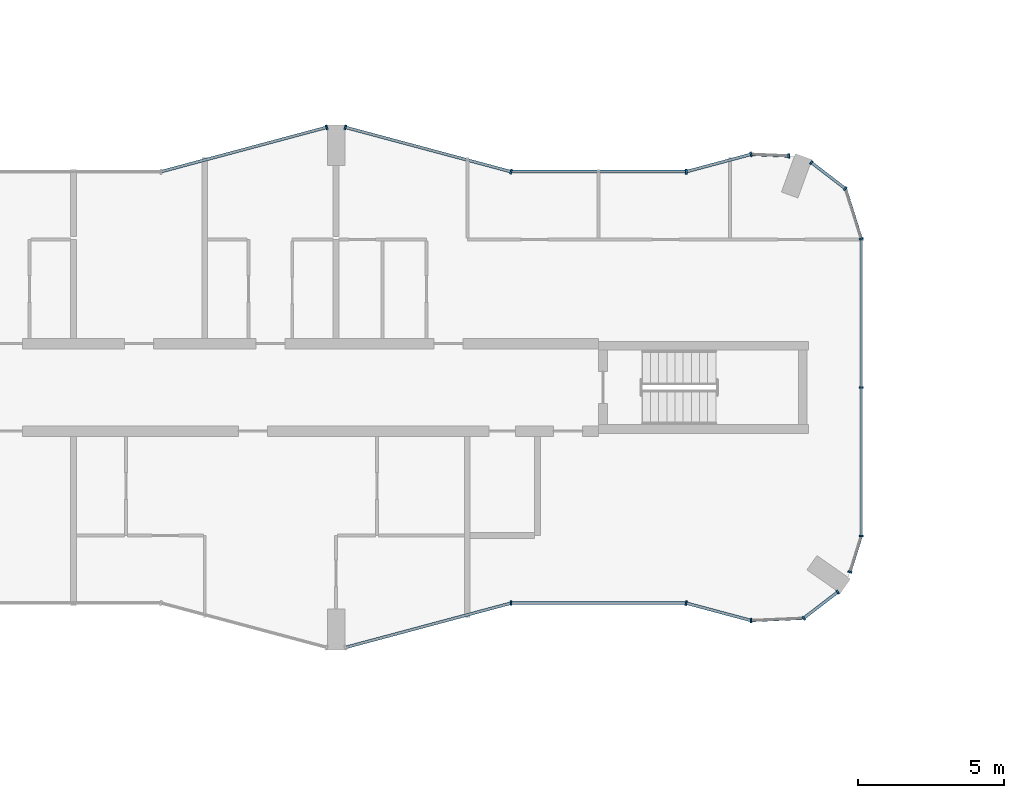
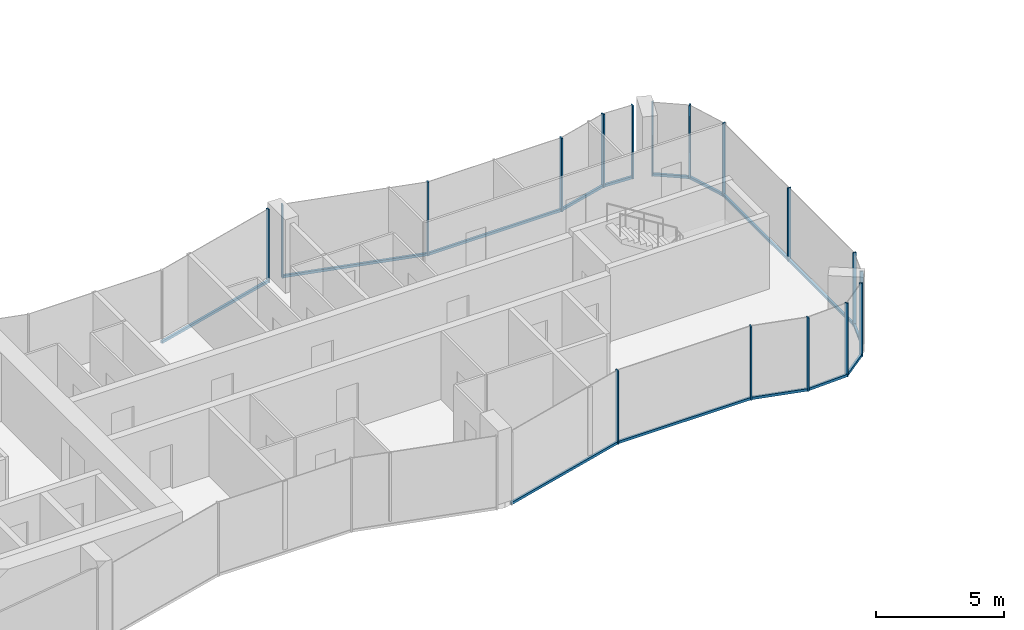
# One storey, part 5 of 24: 31 members, 14 elements without a shape of their own.
"""IFC4 building model written with IfcOpenShell, lengths in metres."""

from ifc_helpers import new_model, si_unit, direction, frame, origin, origin_2d, place, context, subcontext, project, spatial, rectangle, extrude, material, layer, layer_set, material_profile, profile_set, type_object, element, aggregate, save


model = new_model("IFC4")

# Units and contexts
model_context = context("Model", 3, precision=1e-05, world=origin(), true_north=direction((0.0, 1.0)))
body_context = subcontext(model_context, "Body", "Model", "MODEL_VIEW")
ifc_project = project(units=[si_unit("LENGTHUNIT", "METRE"), si_unit("AREAUNIT", "SQUARE_METRE"), si_unit("VOLUMEUNIT", "CUBIC_METRE"), si_unit("PLANEANGLEUNIT", "RADIAN"), si_unit("MASSUNIT", "GRAM", prefix="KILO")], contexts=[model_context])

# Site, building, storey
site_placement = place(None, origin())
site = spatial("IfcSite", under=ifc_project, at=site_placement, CompositionType="ELEMENT")
building_placement = place(site_placement, origin())
building = spatial("IfcBuilding", under=site, at=building_placement, Name="Plateau Cross Towers", CompositionType="ELEMENT")
storey_placement = place(building_placement, frame((0.0, 0.0, 44.300048828125)))
storey = spatial("IfcBuildingStorey", under=building, at=storey_placement, Name="L10", CompositionType="ELEMENT", Elevation=44.300048828125)

# Curtain wall, member
ifc_material_1 = material(Name="Dark low-iron glass", Category="glass")
ifc_layer_1 = layer(ifc_material_1, 0.239990234375)
ifc_layer_set_1 = layer_set([ifc_layer_1], Name="Dark low-iron glass")
curtain_wall_type_1 = type_object("IfcCurtainWallType", Name="Curtain wall flush unitised CW-B", PredefinedType="NOTDEFINED", material=ifc_layer_set_1)
curtain_wall_1_placement = place(storey_placement, origin())
curtain_wall_1 = element("IfcCurtainWall", 1, at=curtain_wall_1_placement, inside=storey, type_object=curtain_wall_type_1, Name="ENV/A/L10/A502_10", PredefinedType="NOTDEFINED")
ifc_material_2 = material(Name="Black anodised aluminium", Category="aluminium")
ifc_material_profile_1 = material_profile(ifc_material_2, rectangle(XDim=0.06005859375, YDim=0.139892578125, at=origin_2d()), Name="MULLION 60x140")
ifc_profile_set_1 = profile_set([ifc_material_profile_1], Name="Black anodised aluminium")
member_type_1 = type_object("IfcMemberType", Name="Mullion 60x140 flush unitised", PredefinedType="MULLION", material=ifc_profile_set_1)
member_1_placement = place(storey_placement, frame((50.223876953125, 1.01123046875, -0.25), z_axis=(0.0, 0.0, 1.0), x_axis=(0.999043701491, 0.043722791671, 0.0)))
member_1 = element("IfcMember", 2, at=member_1_placement, type_object=member_type_1, Name="CW-B mullion 1", PredefinedType="MULLION", context=body_context, shape_type="SweptSolid", body=[
    extrude(rectangle(XDim=0.06005859375, YDim=0.139892578125, at=origin_2d()), origin(), (0.0, 0.0, 1.0), 3.5),
])

# Curtain wall, members
curtain_wall_2_placement = place(storey_placement, origin())
curtain_wall_2 = element("IfcCurtainWall", 3, at=curtain_wall_2_placement, inside=storey, type_object=curtain_wall_type_1, Name="ENV/A/L10/A520_11", PredefinedType="NOTDEFINED")
member_2_placement = place(storey_placement, frame((52.0263671875, 1.090087890625, -0.25), z_axis=(0.0, 0.0, 1.0), x_axis=(0.793315514529, 0.608810721331, 0.0)))
member_2 = element("IfcMember", 4, at=member_2_placement, type_object=member_type_1, Name="CW-B mullion 1", PredefinedType="MULLION", context=body_context, shape_type="SweptSolid", body=[
    extrude(rectangle(XDim=0.06005859375, YDim=0.139892578125, at=origin_2d()), origin(), (0.0, 0.0, 1.0), 3.5),
])
member_3_placement = place(storey_placement, frame((53.193603515625, 1.986083984375, -0.25), z_axis=(0.0, 0.0, 1.0), x_axis=(0.793315514529, 0.608810721331, 0.0)))
member_3 = element("IfcMember", 5, at=member_3_placement, type_object=member_type_1, Name="CW-B mullion 2", PredefinedType="MULLION", context=body_context, shape_type="SweptSolid", body=[
    extrude(rectangle(XDim=0.06005859375, YDim=0.139892578125, at=origin_2d()), origin(), (0.0, 0.0, 1.0), 3.5),
])

# Curtain wall, member
curtain_wall_3_placement = place(storey_placement, origin())
curtain_wall_3 = element("IfcCurtainWall", 6, at=curtain_wall_3_placement, inside=storey, type_object=curtain_wall_type_1, Name="ENV/A/L10/A536_27", PredefinedType="NOTDEFINED")
member_4_placement = place(storey_placement, frame((53.611083984375, 2.67529296875, -0.25), z_axis=(0.0, 0.0, 1.0), x_axis=(0.300686174994, 0.95372313811, 0.0)))
member_4 = element("IfcMember", 7, at=member_4_placement, type_object=member_type_1, Name="CW-B mullion 1", PredefinedType="MULLION", context=body_context, shape_type="SweptSolid", body=[
    extrude(rectangle(XDim=0.06005859375, YDim=0.139892578125, at=origin_2d()), origin(), (0.0, 0.0, 1.0), 3.5),
])

# Curtain wall, members
curtain_wall_4_placement = place(storey_placement, origin())
curtain_wall_4 = element("IfcCurtainWall", 8, at=curtain_wall_4_placement, inside=storey, type_object=curtain_wall_type_1, Name="ENV/A/L10/A540_39", PredefinedType="NOTDEFINED")
member_5_placement = place(storey_placement, frame((54.0, 3.9091796875, -0.25), z_axis=(0.0, 0.0, 1.0), x_axis=(0.0, 1.0, 0.0)))
member_5 = element("IfcMember", 9, at=member_5_placement, type_object=member_type_1, Name="CW-B mullion 1", PredefinedType="MULLION", context=body_context, shape_type="SweptSolid", body=[
    extrude(rectangle(XDim=0.06005859375, YDim=0.139892578125, at=origin_2d()), origin(), (0.0, 0.0, 1.0), 3.5),
])
member_6_placement = place(storey_placement, frame((54.0, 9.0, -0.25), z_axis=(0.0, 0.0, 1.0), x_axis=(0.0, 1.0, 0.0)))
member_6 = element("IfcMember", 10, at=member_6_placement, type_object=member_type_1, Name="CW-B mullion 2", PredefinedType="MULLION", context=body_context, shape_type="SweptSolid", body=[
    extrude(rectangle(XDim=0.06005859375, YDim=0.139892578125, at=origin_2d()), origin(), (0.0, 0.0, 1.0), 3.5),
])

# Curtain wall, member
curtain_wall_5_placement = place(storey_placement, origin())
curtain_wall_5 = element("IfcCurtainWall", 11, at=curtain_wall_5_placement, inside=storey, type_object=curtain_wall_type_1, Name="ENV/A/L10/A540_141", PredefinedType="NOTDEFINED")
member_7_placement = place(storey_placement, frame((54.0, 14.0908203125, -0.25), z_axis=(0.0, 0.0, 1.0), x_axis=(-0.300686174994, 0.95372313811, 0.0)))
member_7 = element("IfcMember", 12, at=member_7_placement, type_object=member_type_1, Name="CW-B mullion 1", PredefinedType="MULLION", context=body_context, shape_type="SweptSolid", body=[
    extrude(rectangle(XDim=0.06005859375, YDim=0.139892578125, at=origin_2d()), origin(), (0.0, 0.0, 1.0), 3.5),
])

# Curtain wall, members
curtain_wall_6_placement = place(storey_placement, origin())
curtain_wall_6 = element("IfcCurtainWall", 13, at=curtain_wall_6_placement, inside=storey, type_object=curtain_wall_type_1, Name="ENV/A/L10/A535_158", PredefinedType="NOTDEFINED")
member_8_placement = place(storey_placement, frame((53.45751953125, 15.8115234375, -0.25), z_axis=(0.0, 0.0, 1.0), x_axis=(-0.793315514529, 0.608810721331, 0.0)))
member_8 = element("IfcMember", 14, at=member_8_placement, type_object=member_type_1, Name="CW-B mullion 1", PredefinedType="MULLION", context=body_context, shape_type="SweptSolid", body=[
    extrude(rectangle(XDim=0.06005859375, YDim=0.139892578125, at=origin_2d()), origin(), (0.0, 0.0, 1.0), 3.5),
])
member_9_placement = place(storey_placement, frame((52.290283203125, 16.707275390625, -0.25), z_axis=(0.0, 0.0, 1.0), x_axis=(-0.793315514529, 0.608810721331, 0.0)))
member_9 = element("IfcMember", 15, at=member_9_placement, type_object=member_type_1, Name="CW-B mullion 2", PredefinedType="MULLION", context=body_context, shape_type="SweptSolid", body=[
    extrude(rectangle(XDim=0.06005859375, YDim=0.139892578125, at=origin_2d()), origin(), (0.0, 0.0, 1.0), 3.5),
])

# Curtain wall, member
curtain_wall_7_placement = place(storey_placement, origin())
curtain_wall_7 = element("IfcCurtainWall", 16, at=curtain_wall_7_placement, inside=storey, type_object=curtain_wall_type_1, Name="ENV/A/L10/A515_169", PredefinedType="NOTDEFINED")
member_10_placement = place(storey_placement, frame((51.516357421875, 16.93212890625, -0.25), z_axis=(0.0, 0.0, 1.0), x_axis=(-0.999043701491, 0.043722791671, 0.0)))
member_10 = element("IfcMember", 17, at=member_10_placement, type_object=member_type_1, Name="CW-B mullion 1", PredefinedType="MULLION", context=body_context, shape_type="SweptSolid", body=[
    extrude(rectangle(XDim=0.06005859375, YDim=0.139892578125, at=origin_2d()), origin(), (0.0, 0.0, 1.0), 3.5),
])

ifc_layer_2 = layer(ifc_material_1, 0.260009765625)
ifc_layer_set_2 = layer_set([ifc_layer_2], Name="Dark low-iron glass")
curtain_wall_type_2 = type_object("IfcCurtainWallType", Name="Curtain wall fluted unitised CW-A", PredefinedType="NOTDEFINED", material=ifc_layer_set_2)
curtain_wall_8_placement = place(storey_placement, origin())
curtain_wall_8 = element("IfcCurtainWall", 18, at=curtain_wall_8_placement, inside=storey, type_object=curtain_wall_type_2, Name="ENV/A/L10/A420_16", PredefinedType="NOTDEFINED")
ifc_material_profile_2 = material_profile(ifc_material_2, rectangle(XDim=0.06005859375, YDim=0.159912109375, at=origin_2d()), Name="MULLION 60x160")
ifc_profile_set_2 = profile_set([ifc_material_profile_2], Name="Black anodised aluminium")
member_type_2 = type_object("IfcMemberType", Name="Mullion 60x160 fluted unitised", PredefinedType="MULLION", material=ifc_profile_set_2)
member_11_placement = place(storey_placement, frame((42.0, 1.60693359375, -0.25), z_axis=(0.0, 0.0, 1.0), x_axis=(1.0, 0.0, 0.0)))
member_11 = element("IfcMember", 19, at=member_11_placement, type_object=member_type_2, Name="CW-A mullion 1", PredefinedType="MULLION", context=body_context, shape_type="SweptSolid", body=[
    extrude(rectangle(XDim=0.06005859375, YDim=0.159912109375, at=origin_2d()), origin(), (0.0, 0.0, 1.0), 3.5),
])

curtain_wall_9_placement = place(storey_placement, origin())
curtain_wall_9 = element("IfcCurtainWall", 20, at=curtain_wall_9_placement, inside=storey, type_object=curtain_wall_type_2, Name="ENV/A/L10/A480_16", PredefinedType="NOTDEFINED")
member_12_placement = place(storey_placement, frame((48.0, 1.60693359375, -0.25), z_axis=(0.0, 0.0, 1.0), x_axis=(0.965957962328, -0.258699081978, 0.0)))
member_12 = element("IfcMember", 21, at=member_12_placement, type_object=member_type_2, Name="CW-A mullion 1", PredefinedType="MULLION", context=body_context, shape_type="SweptSolid", body=[
    extrude(rectangle(XDim=0.06005859375, YDim=0.159912109375, at=origin_2d()), origin(), (0.0, 0.0, 1.0), 3.5),
])

curtain_wall_10_placement = place(storey_placement, origin())
curtain_wall_10 = element("IfcCurtainWall", 22, at=curtain_wall_10_placement, inside=storey, type_object=curtain_wall_type_2, Name="ENV/A/L10/A502_170", PredefinedType="NOTDEFINED")
member_13_placement = place(storey_placement, frame((50.223876953125, 16.98876953125, -0.25), z_axis=(0.0, 0.0, 1.0), x_axis=(-0.965957962328, -0.258699081978, 0.0)))
member_13 = element("IfcMember", 23, at=member_13_placement, type_object=member_type_2, Name="CW-A mullion 1", PredefinedType="MULLION", context=body_context, shape_type="SweptSolid", body=[
    extrude(rectangle(XDim=0.06005859375, YDim=0.159912109375, at=origin_2d()), origin(), (0.0, 0.0, 1.0), 3.5),
])

curtain_wall_11_placement = place(storey_placement, origin())
curtain_wall_11 = element("IfcCurtainWall", 24, at=curtain_wall_11_placement, inside=storey, type_object=curtain_wall_type_2, Name="ENV/A/L10/A480_164", PredefinedType="NOTDEFINED")
member_14_placement = place(storey_placement, frame((48.0, 16.39306640625, -0.25), z_axis=(0.0, 0.0, 1.0), x_axis=(-1.0, 0.0, 0.0)))
member_14 = element("IfcMember", 25, at=member_14_placement, type_object=member_type_2, Name="CW-A mullion 1", PredefinedType="MULLION", context=body_context, shape_type="SweptSolid", body=[
    extrude(rectangle(XDim=0.06005859375, YDim=0.159912109375, at=origin_2d()), origin(), (0.0, 0.0, 1.0), 3.5),
])

# Curtain wall, members
curtain_wall_12_placement = place(storey_placement, origin())
curtain_wall_12 = element("IfcCurtainWall", 26, at=curtain_wall_12_placement, inside=storey, type_object=curtain_wall_type_2, Name="ENV/A/L10/A420_164", PredefinedType="NOTDEFINED")
member_15_placement = place(storey_placement, frame((42.0, 16.39306640625, -0.25), z_axis=(0.0, 0.0, 1.0), x_axis=(-0.965957983404, 0.258699003279, 0.0)))
member_15 = element("IfcMember", 27, at=member_15_placement, type_object=member_type_2, Name="CW-A mullion 1", PredefinedType="MULLION", context=body_context, shape_type="SweptSolid", body=[
    extrude(rectangle(XDim=0.06005859375, YDim=0.159912109375, at=origin_2d()), origin(), (0.0, 0.0, 1.0), 3.5),
])
member_16_placement = place(storey_placement, frame((36.31787109375, 17.914794921875, -0.25), z_axis=(0.0, 0.0, 1.0), x_axis=(-0.965957983404, 0.258699003279, 0.0)))
member_16 = element("IfcMember", 28, at=member_16_placement, type_object=member_type_2, Name="CW-A mullion 2", PredefinedType="MULLION", context=body_context, shape_type="SweptSolid", body=[
    extrude(rectangle(XDim=0.06005859375, YDim=0.159912109375, at=origin_2d()), origin(), (0.0, 0.0, 1.0), 3.5),
])

# Curtain wall, member
curtain_wall_13_placement = place(storey_placement, origin())
curtain_wall_13 = element("IfcCurtainWall", 29, at=curtain_wall_13_placement, inside=storey, type_object=curtain_wall_type_2, Name="ENV/A/L10/A357_179", PredefinedType="NOTDEFINED")
member_17_placement = place(storey_placement, frame((35.68212890625, 17.914794921875, -0.25), z_axis=(0.0, 0.0, 1.0), x_axis=(-0.965957983404, -0.258699003279, 0.0)))
member_17 = element("IfcMember", 30, at=member_17_placement, type_object=member_type_2, Name="CW-A mullion 1", PredefinedType="MULLION", context=body_context, shape_type="SweptSolid", body=[
    extrude(rectangle(XDim=0.06005859375, YDim=0.159912109375, at=origin_2d()), origin(), (0.0, 0.0, 1.0), 3.5),
])

# Member
ifc_material_profile_3 = material_profile(ifc_material_2, rectangle(XDim=0.10009765625, YDim=0.1201171875, at=origin_2d()), Name="TRANSOM 100x120")
ifc_profile_set_3 = profile_set([ifc_material_profile_3], Name="Black anodised aluminium")
member_type_3 = type_object("IfcMemberType", Name="Transom 100x120 flush unitised", PredefinedType="USERDEFINED", material=ifc_profile_set_3)
member_18_placement = place(storey_placement, frame((50.223876953125, 1.01123046875, -0.18994140625), z_axis=(0.999044377355, 0.043707345779, 0.0), x_axis=(-0.043707345779, 0.999044377355, 0.0)))
member_18 = element("IfcMember", 31, at=member_18_placement, type_object=member_type_3, Name="CW-B transom", ObjectType="TRANSOM", PredefinedType="USERDEFINED", context=body_context, shape_type="SweptSolid", body=[
    extrude(rectangle(XDim=0.10009765625, YDim=0.1201171875, at=origin_2d()), origin(), (0.0, 0.0, 1.0), 1.80419921875),
])

aggregate(curtain_wall_1, [member_1, member_18])

member_19_placement = place(storey_placement, frame((52.0263671875, 1.090087890625, -0.18994140625), z_axis=(0.793240368515, 0.608908628415, 0.0), x_axis=(-0.608908628415, 0.793240368515, 0.0)))
member_19 = element("IfcMember", 32, at=member_19_placement, type_object=member_type_3, Name="CW-B transom", ObjectType="TRANSOM", PredefinedType="USERDEFINED", context=body_context, shape_type="SweptSolid", body=[
    extrude(rectangle(XDim=0.10009765625, YDim=0.1201171875, at=origin_2d()), origin(), (0.0, 0.0, 1.0), 1.471435546875),
])

aggregate(curtain_wall_2, [member_2, member_3, member_19])

member_20_placement = place(storey_placement, frame((53.611083984375, 2.67529296875, -0.18994140625), z_axis=(0.300616528216, 0.953745093284, 0.0), x_axis=(-0.953745093284, 0.300616528216, 0.0)))
member_20 = element("IfcMember", 33, at=member_20_placement, type_object=member_type_3, Name="CW-B transom", ObjectType="TRANSOM", PredefinedType="USERDEFINED", context=body_context, shape_type="SweptSolid", body=[
    extrude(rectangle(XDim=0.10009765625, YDim=0.1201171875, at=origin_2d()), origin(), (0.0, 0.0, 1.0), 1.293701171875),
])

aggregate(curtain_wall_3, [member_4, member_20])

member_21_placement = place(storey_placement, frame((54.0, 3.9091796875, -0.18994140625), z_axis=(0.0, 1.0, 0.0), x_axis=(-1.0, 0.0, 0.0)))
member_21 = element("IfcMember", 34, at=member_21_placement, type_object=member_type_3, Name="CW-B transom", ObjectType="TRANSOM", PredefinedType="USERDEFINED", context=body_context, shape_type="SweptSolid", body=[
    extrude(rectangle(XDim=0.10009765625, YDim=0.1201171875, at=origin_2d()), origin(), (0.0, 0.0, 1.0), 10.181640625),
])

aggregate(curtain_wall_4, [member_5, member_6, member_21])

member_22_placement = place(storey_placement, frame((54.0, 14.0908203125, -0.18994140625), z_axis=(-0.30067799945, 0.953725715626, 0.0), x_axis=(-0.953725715626, -0.30067799945, 0.0)))
member_22 = element("IfcMember", 35, at=member_22_placement, type_object=member_type_3, Name="CW-B transom", ObjectType="TRANSOM", PredefinedType="USERDEFINED", context=body_context, shape_type="SweptSolid", body=[
    extrude(rectangle(XDim=0.10009765625, YDim=0.1201171875, at=origin_2d()), origin(), (0.0, 0.0, 1.0), 1.80419921875),
])

aggregate(curtain_wall_5, [member_7, member_22])

member_23_placement = place(storey_placement, frame((53.45751953125, 15.8115234375, -0.18994140625), z_axis=(-0.793320508571, 0.608804213751, 0.0), x_axis=(-0.608804213751, -0.793320508571, 0.0)))
member_23 = element("IfcMember", 36, at=member_23_placement, type_object=member_type_3, Name="CW-B transom", ObjectType="TRANSOM", PredefinedType="USERDEFINED", context=body_context, shape_type="SweptSolid", body=[
    extrude(rectangle(XDim=0.10009765625, YDim=0.1201171875, at=origin_2d()), origin(), (0.0, 0.0, 1.0), 1.471435546875),
])

aggregate(curtain_wall_6, [member_8, member_9, member_23])

member_24_placement = place(storey_placement, frame((51.516357421875, 16.93212890625, -0.18994140625), z_axis=(-0.999041144614, 0.043781175963, 0.0), x_axis=(-0.043781175963, -0.999041144614, 0.0)))
member_24 = element("IfcMember", 37, at=member_24_placement, type_object=member_type_3, Name="CW-B transom", ObjectType="TRANSOM", PredefinedType="USERDEFINED", context=body_context, shape_type="SweptSolid", body=[
    extrude(rectangle(XDim=0.10009765625, YDim=0.1201171875, at=origin_2d()), origin(), (0.0, 0.0, 1.0), 1.293701171875),
])

aggregate(curtain_wall_7, [member_10, member_24])

# Curtain wall, member
curtain_wall_14_placement = place(storey_placement, origin())
curtain_wall_14 = element("IfcCurtainWall", 38, at=curtain_wall_14_placement, inside=storey, type_object=curtain_wall_type_2, Name="ENV/A/L10/A363_1", PredefinedType="NOTDEFINED")
ifc_material_profile_4 = material_profile(ifc_material_2, rectangle(XDim=0.10009765625, YDim=0.1201171875, at=origin_2d()), Name="TRANSOM 100x120")
ifc_profile_set_4 = profile_set([ifc_material_profile_4], Name="Black anodised aluminium")
member_type_4 = type_object("IfcMemberType", Name="Transom 100x120 fluted unitised", PredefinedType="USERDEFINED", material=ifc_profile_set_4)
member_25_placement = place(storey_placement, frame((36.31787109375, 0.085205078125, -0.18994140625), z_axis=(0.965959534794, 0.258693210465, 0.0), x_axis=(-0.258693210465, 0.965959534794, 0.0)))
member_25 = element("IfcMember", 39, at=member_25_placement, type_object=member_type_4, Name="CW-A transom", ObjectType="TRANSOM", PredefinedType="USERDEFINED", context=body_context, shape_type="SweptSolid", body=[
    extrude(rectangle(XDim=0.10009765625, YDim=0.1201171875, at=origin_2d()), origin(), (0.0, 0.0, 1.0), 5.88232421875),
])
aggregate(curtain_wall_14, [member_25])

# Member
member_26_placement = place(storey_placement, frame((42.0, 1.60693359375, -0.18994140625), z_axis=(1.0, 0.0, 0.0), x_axis=(0.0, 1.0, 0.0)))
member_26 = element("IfcMember", 40, at=member_26_placement, type_object=member_type_4, Name="CW-A transom", ObjectType="TRANSOM", PredefinedType="USERDEFINED", context=body_context, shape_type="SweptSolid", body=[
    extrude(rectangle(XDim=0.10009765625, YDim=0.1201171875, at=origin_2d()), origin(), (0.0, 0.0, 1.0), 6.0),
])

aggregate(curtain_wall_8, [member_11, member_26])

member_27_placement = place(storey_placement, frame((48.0, 1.60693359375, -0.18994140625), z_axis=(0.965945685136, -0.258744919501, 0.0), x_axis=(0.258744919501, 0.965945685136, 0.0)))
member_27 = element("IfcMember", 41, at=member_27_placement, type_object=member_type_4, Name="CW-A transom", ObjectType="TRANSOM", PredefinedType="USERDEFINED", context=body_context, shape_type="SweptSolid", body=[
    extrude(rectangle(XDim=0.10009765625, YDim=0.1201171875, at=origin_2d()), origin(), (0.0, 0.0, 1.0), 2.30224609375),
])

aggregate(curtain_wall_9, [member_12, member_27])

member_28_placement = place(storey_placement, frame((50.223876953125, 16.98876953125, -0.18994140625), z_axis=(-0.965945685136, -0.258744919501, 0.0), x_axis=(0.258744919501, -0.965945685136, 0.0)))
member_28 = element("IfcMember", 42, at=member_28_placement, type_object=member_type_4, Name="CW-A transom", ObjectType="TRANSOM", PredefinedType="USERDEFINED", context=body_context, shape_type="SweptSolid", body=[
    extrude(rectangle(XDim=0.10009765625, YDim=0.1201171875, at=origin_2d()), origin(), (0.0, 0.0, 1.0), 2.30224609375),
])

aggregate(curtain_wall_10, [member_13, member_28])

member_29_placement = place(storey_placement, frame((48.0, 16.39306640625, -0.18994140625), z_axis=(-1.0, 0.0, 0.0), x_axis=(0.0, -1.0, 0.0)))
member_29 = element("IfcMember", 43, at=member_29_placement, type_object=member_type_4, Name="CW-A transom", ObjectType="TRANSOM", PredefinedType="USERDEFINED", context=body_context, shape_type="SweptSolid", body=[
    extrude(rectangle(XDim=0.10009765625, YDim=0.1201171875, at=origin_2d()), origin(), (0.0, 0.0, 1.0), 6.0),
])

aggregate(curtain_wall_11, [member_14, member_29])

member_30_placement = place(storey_placement, frame((42.0, 16.39306640625, -0.18994140625), z_axis=(-0.965959534794, 0.258693210465, 0.0), x_axis=(-0.258693210465, -0.965959534794, 0.0)))
member_30 = element("IfcMember", 44, at=member_30_placement, type_object=member_type_4, Name="CW-A transom", ObjectType="TRANSOM", PredefinedType="USERDEFINED", context=body_context, shape_type="SweptSolid", body=[
    extrude(rectangle(XDim=0.10009765625, YDim=0.1201171875, at=origin_2d()), origin(), (0.0, 0.0, 1.0), 5.88232421875),
])

aggregate(curtain_wall_12, [member_15, member_16, member_30])

member_31_placement = place(storey_placement, frame((35.68212890625, 17.914794921875, -0.18994140625), z_axis=(-0.965959534794, -0.258693210465, 0.0), x_axis=(0.258693210465, -0.965959534794, 0.0)))
member_31 = element("IfcMember", 45, at=member_31_placement, type_object=member_type_4, Name="CW-A transom", ObjectType="TRANSOM", PredefinedType="USERDEFINED", context=body_context, shape_type="SweptSolid", body=[
    extrude(rectangle(XDim=0.10009765625, YDim=0.1201171875, at=origin_2d()), origin(), (0.0, 0.0, 1.0), 5.88232421875),
])

aggregate(curtain_wall_13, [member_17, member_31])

save(model, "model.ifc")
